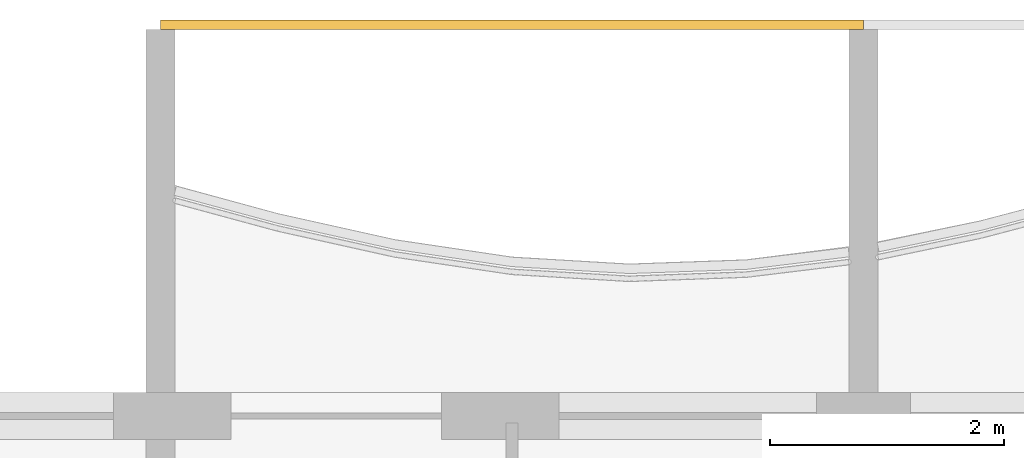
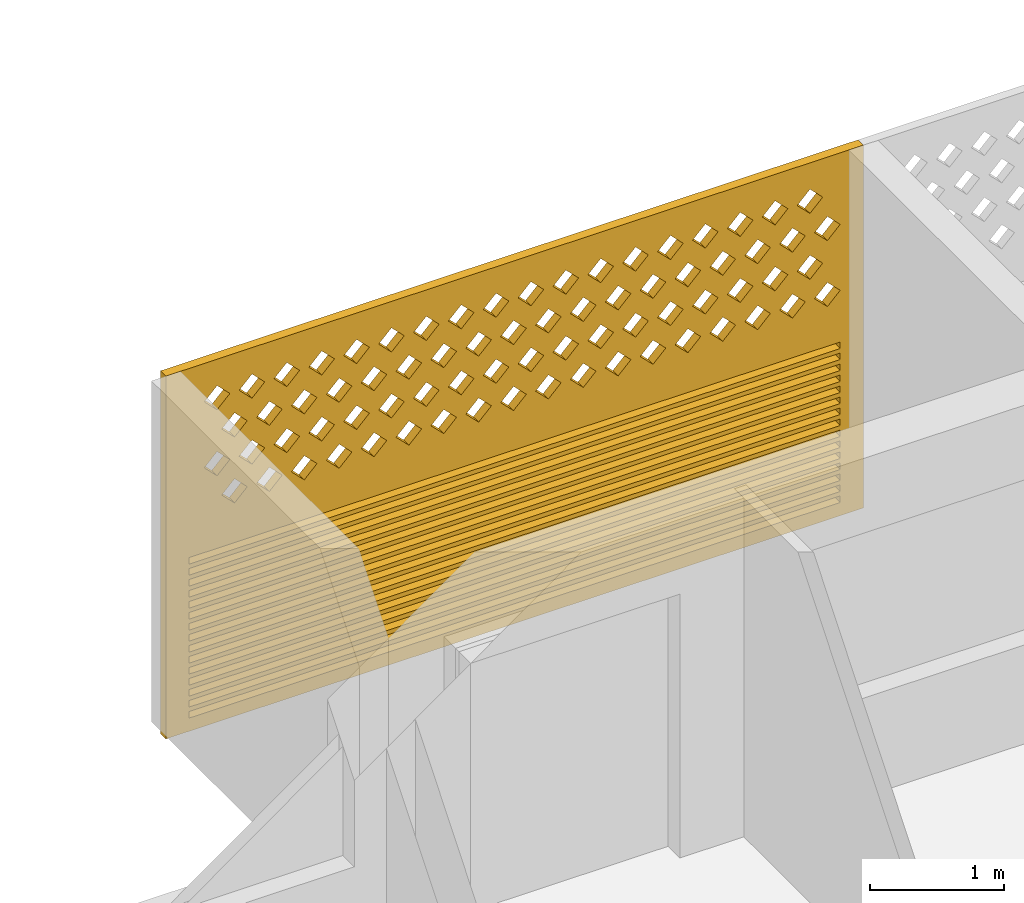
# One storey, part 16 of 26: 1 covering.
"""IFC4 building model written with IfcOpenShell, lengths in metres."""

import ifcopenshell
import ifcopenshell.guid

model = None  # the IFC model being written
_history = None  # IfcOwnerHistory: only IFC2X3 demands one
_inside = {}  # id of a spatial element -> (the spatial element, [elements in it])
_under = {}  # id of a project, library or spatial element -> (it, [spatial elements below it])
_declared = {}  # id of a project -> (the project, [libraries it declares])
_typed = {}  # id of a type object -> (the type object, [elements of that type])
_made_of = {}  # id of a material, layer set ... -> (it, [elements and type objects made of it])


def new_model(schema):
    """Start an empty IFC model of exactly this schema.

    Asked for "IFC4X3", IfcOpenShell would pick the latest addendum, in which some entities
    have other attributes; the version numbers below select the first issue.
    IFC2X3 requires an IfcOwnerHistory on every rooted entity: one is made here for all.
    """
    global model, _history
    if schema == "IFC4X3":
        model = ifcopenshell.file(schema_version=(4, 3, 0, 0))
    else:
        model = ifcopenshell.file(schema=schema)
    _inside.clear()
    _under.clear()
    _declared.clear()
    _typed.clear()
    _made_of.clear()
    _history = None
    if model.schema == "IFC2X3":
        org = make("IfcOrganization", Name="unknown")
        user = make(
            "IfcPersonAndOrganization",
            ThePerson=make("IfcPerson", FamilyName="unknown"),
            TheOrganization=org,
        )
        app = make(
            "IfcApplication",
            ApplicationDeveloper=org,
            Version="unknown",
            ApplicationFullName="unknown",
            ApplicationIdentifier="unknown",
        )
        _history = make(
            "IfcOwnerHistory",
            OwningUser=user,
            OwningApplication=app,
            ChangeAction="ADDED",
            CreationDate=0,
        )
    return model


def make(cls, **values):
    """One entity of the class cls with the attributes given. An attribute that is None is left unset."""
    return model.create_entity(
        cls, **{name: value for name, value in values.items() if value is not None}
    )


def rooted(cls, **values):
    """An entity with a GlobalId (a new one), such as an element, a storey or a relation."""
    return make(cls, GlobalId=ifcopenshell.guid.new(), OwnerHistory=_history, **values)


def si_unit(unit_type, name, prefix=None):
    """IfcSIUnit, for example si_unit("LENGTHUNIT", "METRE", prefix="MILLI")."""
    return make("IfcSIUnit", UnitType=unit_type, Prefix=prefix, Name=name)


def assignment(units):
    """IfcUnitAssignment: the units of a project."""
    return None if units is None else make("IfcUnitAssignment", Units=units)


def point(xyz):
    """IfcCartesianPoint."""
    return None if xyz is None else make("IfcCartesianPoint", Coordinates=xyz)


def direction(xyz):
    """IfcDirection."""
    return None if xyz is None else make("IfcDirection", DirectionRatios=xyz)


def frame(location, z_axis=None, x_axis=None):
    """IfcAxis2Placement3D, a coordinate frame: its origin and axes. An axis left out is left unset."""
    return make(
        "IfcAxis2Placement3D",
        Location=point(location),
        Axis=direction(z_axis),
        RefDirection=direction(x_axis),
    )


def origin():
    """The frame at (0, 0, 0) with its axes left unset."""
    return frame((0.0, 0.0, 0.0))


def place(relative_to, where):
    """IfcLocalPlacement: puts the frame where relative to a parent placement (None: the world)."""
    return make(
        "IfcLocalPlacement", PlacementRelTo=relative_to, RelativePlacement=where
    )


def context(
    kind, dimensions, precision=None, world=None, true_north=None, identifier=None
):
    """IfcGeometricRepresentationContext, for example the 3D "Model" context."""
    return make(
        "IfcGeometricRepresentationContext",
        ContextIdentifier=identifier,
        ContextType=kind,
        CoordinateSpaceDimension=dimensions,
        Precision=precision,
        WorldCoordinateSystem=world,
        TrueNorth=true_north,
    )


def subcontext(parent, identifier, kind, view, scale=None):
    """IfcGeometricRepresentationSubContext, for example "Body" below "Model"."""
    return make(
        "IfcGeometricRepresentationSubContext",
        ContextIdentifier=identifier,
        ContextType=kind,
        ParentContext=parent,
        TargetScale=scale,
        TargetView=view,
    )


def project(units=None, contexts=None):
    """IfcProject with its units and contexts."""
    return rooted(
        "IfcProject",
        Name="project",
        RepresentationContexts=contexts,
        UnitsInContext=assignment(units),
    )


def spatial(cls, under=None, at=None, **own):
    """A site, building, storey or space (cls), placed at a placement, below another one or the project."""
    s = rooted(cls, ObjectPlacement=at, **own)
    if under is not None:
        _under.setdefault(under.id(), (under, []))[1].append(s)
    return s


def polyline(points):
    """IfcPolyline through the points."""
    return make("IfcPolyline", Points=[point(p) for p in points])


def outline(outer, holes=None, kind="AREA"):
    """IfcArbitraryClosedProfileDef: a profile drawn as a closed curve; with holes, ...WithVoids."""
    if holes is None:
        return make("IfcArbitraryClosedProfileDef", ProfileType=kind, OuterCurve=outer)
    return make(
        "IfcArbitraryProfileDefWithVoids",
        ProfileType=kind,
        OuterCurve=outer,
        InnerCurves=holes,
    )


def extrude(swept, where, along, depth):
    """IfcExtrudedAreaSolid: the profile swept, set in the frame where, extruded along a direction by depth."""
    return make(
        "IfcExtrudedAreaSolid",
        SweptArea=swept,
        Position=where,
        ExtrudedDirection=direction(along),
        Depth=depth,
    )


def shape(context_of_items, identifier, shape_type, items):
    """IfcShapeRepresentation: the items that make up one representation, for example the "Body"."""
    return make(
        "IfcShapeRepresentation",
        ContextOfItems=context_of_items,
        RepresentationIdentifier=identifier,
        RepresentationType=shape_type,
        Items=items,
    )


def source(mapping_origin, context_of_items, identifier, shape_type, items):
    """IfcRepresentationMap: a shape defined once, which mapped items show again and again."""
    return make(
        "IfcRepresentationMap",
        MappingOrigin=mapping_origin,
        MappedRepresentation=shape(context_of_items, identifier, shape_type, items),
    )


def transform(
    local_origin,
    x_axis=None,
    y_axis=None,
    z_axis=None,
    scale=None,
    scale2=None,
    scale3=None,
    uniform=True,
):
    """IfcCartesianTransformationOperator3D, or its non-uniform kind. x_axis, y_axis, z_axis: its Axis1, 2, 3."""
    if uniform:
        return make(
            "IfcCartesianTransformationOperator3D",
            Axis1=direction(x_axis),
            Axis2=direction(y_axis),
            LocalOrigin=point(local_origin),
            Scale=scale,
            Axis3=direction(z_axis),
        )
    return make(
        "IfcCartesianTransformationOperator3DnonUniform",
        Axis1=direction(x_axis),
        Axis2=direction(y_axis),
        LocalOrigin=point(local_origin),
        Scale=scale,
        Axis3=direction(z_axis),
        Scale2=scale2,
        Scale3=scale3,
    )


def mapped(mapping_source, mapping_target):
    """IfcMappedItem: shows the shape of a source again, moved by a transform."""
    return make(
        "IfcMappedItem", MappingSource=mapping_source, MappingTarget=mapping_target
    )


def material(Name=None, Category=None):
    """IfcMaterial."""
    return make("IfcMaterial", Name=Name, Category=Category)


def material_profile(
    of_material, cross_section, Name=None, Category=None, Priority=None
):
    """IfcMaterialProfile: a cross section and its material."""
    return make(
        "IfcMaterialProfile",
        Name=Name,
        Material=of_material,
        Profile=cross_section,
        Priority=Priority,
        Category=Category,
    )


def profile_set(profiles, Name=None, composite=None):
    """IfcMaterialProfileSet."""
    return make(
        "IfcMaterialProfileSet",
        Name=Name,
        MaterialProfiles=profiles,
        CompositeProfile=composite,
    )


def made_of(thing, what):
    """Note that an element or type object is made of a material, layer set ...; save() writes the relation."""
    if what is not None:
        _made_of.setdefault(what.id(), (what, []))[1].append(thing)
    return thing


def type_object(cls, material=None, **own):
    """A type object (cls), such as IfcWallType, which elements share."""
    return made_of(rooted(cls, **own), material)


def element(
    cls,
    number,
    at=None,
    inside=None,
    cuts=None,
    type_object=None,
    material=None,
    context=None,
    identifier="Body",
    shape_type=None,
    held_by="IfcProductDefinitionShape",
    body=None,
    shapes=None,
    **own,
):
    """One element of the class cls, such as IfcWall. Its Tag is "e" and its number.

    at: its placement. inside: the storey or other place that contains it. cuts: it is an
    opening in that element (IfcRelVoidsElement). A single representation is given by context,
    identifier, shape_type and body (its items); several are given by shapes. held_by: the class
    of the entity that holds the representations. save() writes the other relations.
    """
    e = rooted(cls, Tag="e%d" % number, ObjectPlacement=at, **own)
    if body is not None:
        shapes = [shape(context, identifier, shape_type, body)]
    if shapes is not None:
        e.Representation = make(held_by, Representations=shapes)
    if inside is not None:
        _inside.setdefault(inside.id(), (inside, []))[1].append(e)
    if cuts is not None:
        rooted(
            "IfcRelVoidsElement", RelatingBuildingElement=cuts, RelatedOpeningElement=e
        )
    if type_object is not None:
        _typed.setdefault(type_object.id(), (type_object, []))[1].append(e)
    return made_of(e, material)


def aggregate(whole, parts):
    """IfcRelAggregates: a whole, such as a stair, and the parts it consists of."""
    return rooted("IfcRelAggregates", RelatingObject=whole, RelatedObjects=parts)


def save(model, path):
    """Write the relations noted so far, then the file.

    IfcRelAggregates (storeys below a building ...), IfcRelContainedInSpatialStructure (elements
    in a storey), IfcRelDefinesByType, IfcRelAssociatesMaterial and IfcRelDeclares: one each for
    every whole, place, type object, material and project.
    """
    for whole, parts in _under.values():
        aggregate(whole, parts)
    for where, things in _inside.values():
        rooted(
            "IfcRelContainedInSpatialStructure",
            RelatedElements=things,
            RelatingStructure=where,
        )
    for kind, things in _typed.values():
        rooted("IfcRelDefinesByType", RelatedObjects=things, RelatingType=kind)
    for what, things in _made_of.values():
        rooted("IfcRelAssociatesMaterial", RelatedObjects=things, RelatingMaterial=what)
    for by, libraries in _declared.values():
        rooted("IfcRelDeclares", RelatingContext=by, RelatedDefinitions=libraries)
    model.write(path)


model = new_model("IFC4")

# Units and contexts
model_context = context("Model", 3, precision=1e-05, world=origin(), true_north=direction((0.0, 1.0)))
body_context = subcontext(model_context, "Body", "Model", "MODEL_VIEW")
ifc_project = project(units=[si_unit("LENGTHUNIT", "METRE"), si_unit("AREAUNIT", "SQUARE_METRE"), si_unit("VOLUMEUNIT", "CUBIC_METRE"), si_unit("PLANEANGLEUNIT", "RADIAN"), si_unit("MASSUNIT", "GRAM", prefix="KILO")], contexts=[model_context])

# Site, building, storey
site_placement = place(None, origin())
site = spatial("IfcSite", under=ifc_project, at=site_placement, CompositionType="ELEMENT")
building_placement = place(site_placement, origin())
building = spatial("IfcBuilding", under=site, at=building_placement, Name="Poui Terraces", CompositionType="ELEMENT")
storey_placement = place(building_placement, frame((0.0, 0.0, 221.39990234375)))
storey = spatial("IfcBuildingStorey", under=building, at=storey_placement, Name="L61", CompositionType="ELEMENT", Elevation=221.39990234375)

# Covering
ifc_material = material(Name="Terracotta screen", Category="masonry")
ifc_material_profile = material_profile(ifc_material, outline(polyline([(-3.0, -1.64990234375), (3.0, -1.64990234375), (3.0, 1.64990234375), (-3.0, 1.64990234375), (-3.0, -1.64990234375)]), holes=[polyline([(-2.800048828125, 0.39990234375), (-2.68994140625, 0.2900390625), (-2.580078125, 0.39990234375), (-2.68994140625, 0.510009765625), (-2.800048828125, 0.39990234375)]), polyline([(-2.5, 0.39990234375), (-2.389892578125, 0.2900390625), (-2.280029296875, 0.39990234375), (-2.389892578125, 0.510009765625), (-2.5, 0.39990234375)]), polyline([(-2.199951171875, 0.39990234375), (-2.090087890625, 0.2900390625), (-1.97998046875, 0.39990234375), (-2.090087890625, 0.510009765625), (-2.199951171875, 0.39990234375)]), polyline([(-1.89990234375, 0.39990234375), (-1.7900390625, 0.2900390625), (-1.679931640625, 0.39990234375), (-1.7900390625, 0.510009765625), (-1.89990234375, 0.39990234375)]), polyline([(-1.60009765625, 0.39990234375), (-1.489990234375, 0.2900390625), (-1.3798828125, 0.39990234375), (-1.489990234375, 0.510009765625), (-1.60009765625, 0.39990234375)]), polyline([(-1.300048828125, 0.39990234375), (-1.18994140625, 0.2900390625), (-1.080078125, 0.39990234375), (-1.18994140625, 0.510009765625), (-1.300048828125, 0.39990234375)]), polyline([(-1.0, 0.39990234375), (-0.889892578125, 0.2900390625), (-0.780029296875, 0.39990234375), (-0.889892578125, 0.510009765625), (-1.0, 0.39990234375)]), polyline([(-0.699951171875, 0.39990234375), (-0.590087890625, 0.2900390625), (-0.47998046875, 0.39990234375), (-0.590087890625, 0.510009765625), (-0.699951171875, 0.39990234375)]), polyline([(-0.39990234375, 0.39990234375), (-0.2900390625, 0.2900390625), (-0.179931640625, 0.39990234375), (-0.2900390625, 0.510009765625), (-0.39990234375, 0.39990234375)]), polyline([(-0.10009765625, 0.39990234375), (0.010009765625, 0.2900390625), (0.1201171875, 0.39990234375), (0.010009765625, 0.510009765625), (-0.10009765625, 0.39990234375)]), polyline([(0.199951171875, 0.39990234375), (0.31005859375, 0.2900390625), (0.419921875, 0.39990234375), (0.31005859375, 0.510009765625), (0.199951171875, 0.39990234375)]), polyline([(0.5, 0.39990234375), (0.610107421875, 0.2900390625), (0.719970703125, 0.39990234375), (0.610107421875, 0.510009765625), (0.5, 0.39990234375)]), polyline([(0.800048828125, 0.39990234375), (0.909912109375, 0.2900390625), (1.02001953125, 0.39990234375), (0.909912109375, 0.510009765625), (0.800048828125, 0.39990234375)]), polyline([(1.10009765625, 0.39990234375), (1.2099609375, 0.2900390625), (1.320068359375, 0.39990234375), (1.2099609375, 0.510009765625), (1.10009765625, 0.39990234375)]), polyline([(1.39990234375, 0.39990234375), (1.510009765625, 0.2900390625), (1.6201171875, 0.39990234375), (1.510009765625, 0.510009765625), (1.39990234375, 0.39990234375)]), polyline([(1.699951171875, 0.39990234375), (1.81005859375, 0.2900390625), (1.919921875, 0.39990234375), (1.81005859375, 0.510009765625), (1.699951171875, 0.39990234375)]), polyline([(2.0, 0.39990234375), (2.110107421875, 0.2900390625), (2.219970703125, 0.39990234375), (2.110107421875, 0.510009765625), (2.0, 0.39990234375)]), polyline([(2.300048828125, 0.39990234375), (2.409912109375, 0.2900390625), (2.52001953125, 0.39990234375), (2.409912109375, 0.510009765625), (2.300048828125, 0.39990234375)]), polyline([(-2.64990234375, 0.699951171875), (-2.5400390625, 0.590087890625), (-2.429931640625, 0.699951171875), (-2.5400390625, 0.81005859375), (-2.64990234375, 0.699951171875)]), polyline([(-2.35009765625, 0.699951171875), (-2.239990234375, 0.590087890625), (-2.1298828125, 0.699951171875), (-2.239990234375, 0.81005859375), (-2.35009765625, 0.699951171875)]), polyline([(-2.050048828125, 0.699951171875), (-1.93994140625, 0.590087890625), (-1.830078125, 0.699951171875), (-1.93994140625, 0.81005859375), (-2.050048828125, 0.699951171875)]), polyline([(-1.75, 0.699951171875), (-1.639892578125, 0.590087890625), (-1.530029296875, 0.699951171875), (-1.639892578125, 0.81005859375), (-1.75, 0.699951171875)]), polyline([(-1.449951171875, 0.699951171875), (-1.340087890625, 0.590087890625), (-1.22998046875, 0.699951171875), (-1.340087890625, 0.81005859375), (-1.449951171875, 0.699951171875)]), polyline([(-1.14990234375, 0.699951171875), (-1.0400390625, 0.590087890625), (-0.929931640625, 0.699951171875), (-1.0400390625, 0.81005859375), (-1.14990234375, 0.699951171875)]), polyline([(-0.85009765625, 0.699951171875), (-0.739990234375, 0.590087890625), (-0.6298828125, 0.699951171875), (-0.739990234375, 0.81005859375), (-0.85009765625, 0.699951171875)]), polyline([(-0.550048828125, 0.699951171875), (-0.43994140625, 0.590087890625), (-0.330078125, 0.699951171875), (-0.43994140625, 0.81005859375), (-0.550048828125, 0.699951171875)]), polyline([(-0.25, 0.699951171875), (-0.139892578125, 0.590087890625), (-0.030029296875, 0.699951171875), (-0.139892578125, 0.81005859375), (-0.25, 0.699951171875)]), polyline([(0.050048828125, 0.699951171875), (0.159912109375, 0.590087890625), (0.27001953125, 0.699951171875), (0.159912109375, 0.81005859375), (0.050048828125, 0.699951171875)]), polyline([(0.35009765625, 0.699951171875), (0.4599609375, 0.590087890625), (0.570068359375, 0.699951171875), (0.4599609375, 0.81005859375), (0.35009765625, 0.699951171875)]), polyline([(0.64990234375, 0.699951171875), (0.760009765625, 0.590087890625), (0.8701171875, 0.699951171875), (0.760009765625, 0.81005859375), (0.64990234375, 0.699951171875)]), polyline([(0.949951171875, 0.699951171875), (1.06005859375, 0.590087890625), (1.169921875, 0.699951171875), (1.06005859375, 0.81005859375), (0.949951171875, 0.699951171875)]), polyline([(1.25, 0.699951171875), (1.360107421875, 0.590087890625), (1.469970703125, 0.699951171875), (1.360107421875, 0.81005859375), (1.25, 0.699951171875)]), polyline([(1.550048828125, 0.699951171875), (1.659912109375, 0.590087890625), (1.77001953125, 0.699951171875), (1.659912109375, 0.81005859375), (1.550048828125, 0.699951171875)]), polyline([(1.85009765625, 0.699951171875), (1.9599609375, 0.590087890625), (2.070068359375, 0.699951171875), (1.9599609375, 0.81005859375), (1.85009765625, 0.699951171875)]), polyline([(2.14990234375, 0.699951171875), (2.260009765625, 0.590087890625), (2.3701171875, 0.699951171875), (2.260009765625, 0.81005859375), (2.14990234375, 0.699951171875)]), polyline([(2.449951171875, 0.699951171875), (2.56005859375, 0.590087890625), (2.669921875, 0.699951171875), (2.56005859375, 0.81005859375), (2.449951171875, 0.699951171875)]), polyline([(-2.800048828125, 1.0), (-2.68994140625, 0.889892578125), (-2.580078125, 1.0), (-2.68994140625, 1.110107421875), (-2.800048828125, 1.0)]), polyline([(-2.5, 1.0), (-2.389892578125, 0.889892578125), (-2.280029296875, 1.0), (-2.389892578125, 1.110107421875), (-2.5, 1.0)]), polyline([(-2.199951171875, 1.0), (-2.090087890625, 0.889892578125), (-1.97998046875, 1.0), (-2.090087890625, 1.110107421875), (-2.199951171875, 1.0)]), polyline([(-1.89990234375, 1.0), (-1.7900390625, 0.889892578125), (-1.679931640625, 1.0), (-1.7900390625, 1.110107421875), (-1.89990234375, 1.0)]), polyline([(-1.60009765625, 1.0), (-1.489990234375, 0.889892578125), (-1.3798828125, 1.0), (-1.489990234375, 1.110107421875), (-1.60009765625, 1.0)]), polyline([(-1.300048828125, 1.0), (-1.18994140625, 0.889892578125), (-1.080078125, 1.0), (-1.18994140625, 1.110107421875), (-1.300048828125, 1.0)]), polyline([(-1.0, 1.0), (-0.889892578125, 0.889892578125), (-0.780029296875, 1.0), (-0.889892578125, 1.110107421875), (-1.0, 1.0)]), polyline([(-0.699951171875, 1.0), (-0.590087890625, 0.889892578125), (-0.47998046875, 1.0), (-0.590087890625, 1.110107421875), (-0.699951171875, 1.0)]), polyline([(-0.39990234375, 1.0), (-0.2900390625, 0.889892578125), (-0.179931640625, 1.0), (-0.2900390625, 1.110107421875), (-0.39990234375, 1.0)]), polyline([(-0.10009765625, 1.0), (0.010009765625, 0.889892578125), (0.1201171875, 1.0), (0.010009765625, 1.110107421875), (-0.10009765625, 1.0)]), polyline([(0.199951171875, 1.0), (0.31005859375, 0.889892578125), (0.419921875, 1.0), (0.31005859375, 1.110107421875), (0.199951171875, 1.0)]), polyline([(0.5, 1.0), (0.610107421875, 0.889892578125), (0.719970703125, 1.0), (0.610107421875, 1.110107421875), (0.5, 1.0)]), polyline([(0.800048828125, 1.0), (0.909912109375, 0.889892578125), (1.02001953125, 1.0), (0.909912109375, 1.110107421875), (0.800048828125, 1.0)]), polyline([(1.10009765625, 1.0), (1.2099609375, 0.889892578125), (1.320068359375, 1.0), (1.2099609375, 1.110107421875), (1.10009765625, 1.0)]), polyline([(1.39990234375, 1.0), (1.510009765625, 0.889892578125), (1.6201171875, 1.0), (1.510009765625, 1.110107421875), (1.39990234375, 1.0)]), polyline([(1.699951171875, 1.0), (1.81005859375, 0.889892578125), (1.919921875, 1.0), (1.81005859375, 1.110107421875), (1.699951171875, 1.0)]), polyline([(2.0, 1.0), (2.110107421875, 0.889892578125), (2.219970703125, 1.0), (2.110107421875, 1.110107421875), (2.0, 1.0)]), polyline([(2.300048828125, 1.0), (2.409912109375, 0.889892578125), (2.52001953125, 1.0), (2.409912109375, 1.110107421875), (2.300048828125, 1.0)]), polyline([(-2.64990234375, 1.300048828125), (-2.5400390625, 1.18994140625), (-2.429931640625, 1.300048828125), (-2.5400390625, 1.409912109375), (-2.64990234375, 1.300048828125)]), polyline([(-2.35009765625, 1.300048828125), (-2.239990234375, 1.18994140625), (-2.1298828125, 1.300048828125), (-2.239990234375, 1.409912109375), (-2.35009765625, 1.300048828125)]), polyline([(-2.050048828125, 1.300048828125), (-1.93994140625, 1.18994140625), (-1.830078125, 1.300048828125), (-1.93994140625, 1.409912109375), (-2.050048828125, 1.300048828125)]), polyline([(-1.75, 1.300048828125), (-1.639892578125, 1.18994140625), (-1.530029296875, 1.300048828125), (-1.639892578125, 1.409912109375), (-1.75, 1.300048828125)]), polyline([(-1.449951171875, 1.300048828125), (-1.340087890625, 1.18994140625), (-1.22998046875, 1.300048828125), (-1.340087890625, 1.409912109375), (-1.449951171875, 1.300048828125)]), polyline([(-1.14990234375, 1.300048828125), (-1.0400390625, 1.18994140625), (-0.929931640625, 1.300048828125), (-1.0400390625, 1.409912109375), (-1.14990234375, 1.300048828125)]), polyline([(-0.85009765625, 1.300048828125), (-0.739990234375, 1.18994140625), (-0.6298828125, 1.300048828125), (-0.739990234375, 1.409912109375), (-0.85009765625, 1.300048828125)]), polyline([(-0.550048828125, 1.300048828125), (-0.43994140625, 1.18994140625), (-0.330078125, 1.300048828125), (-0.43994140625, 1.409912109375), (-0.550048828125, 1.300048828125)]), polyline([(-0.25, 1.300048828125), (-0.139892578125, 1.18994140625), (-0.030029296875, 1.300048828125), (-0.139892578125, 1.409912109375), (-0.25, 1.300048828125)]), polyline([(0.050048828125, 1.300048828125), (0.159912109375, 1.18994140625), (0.27001953125, 1.300048828125), (0.159912109375, 1.409912109375), (0.050048828125, 1.300048828125)]), polyline([(0.35009765625, 1.300048828125), (0.4599609375, 1.18994140625), (0.570068359375, 1.300048828125), (0.4599609375, 1.409912109375), (0.35009765625, 1.300048828125)]), polyline([(0.64990234375, 1.300048828125), (0.760009765625, 1.18994140625), (0.8701171875, 1.300048828125), (0.760009765625, 1.409912109375), (0.64990234375, 1.300048828125)]), polyline([(0.949951171875, 1.300048828125), (1.06005859375, 1.18994140625), (1.169921875, 1.300048828125), (1.06005859375, 1.409912109375), (0.949951171875, 1.300048828125)]), polyline([(1.25, 1.300048828125), (1.360107421875, 1.18994140625), (1.469970703125, 1.300048828125), (1.360107421875, 1.409912109375), (1.25, 1.300048828125)]), polyline([(1.550048828125, 1.300048828125), (1.659912109375, 1.18994140625), (1.77001953125, 1.300048828125), (1.659912109375, 1.409912109375), (1.550048828125, 1.300048828125)]), polyline([(1.85009765625, 1.300048828125), (1.9599609375, 1.18994140625), (2.070068359375, 1.300048828125), (1.9599609375, 1.409912109375), (1.85009765625, 1.300048828125)]), polyline([(2.14990234375, 1.300048828125), (2.260009765625, 1.18994140625), (2.3701171875, 1.300048828125), (2.260009765625, 1.409912109375), (2.14990234375, 1.300048828125)]), polyline([(2.449951171875, 1.300048828125), (2.56005859375, 1.18994140625), (2.669921875, 1.300048828125), (2.56005859375, 1.409912109375), (2.449951171875, 1.300048828125)]), polyline([(-2.800048828125, -1.530029296875), (2.800048828125, -1.530029296875), (2.800048828125, -1.469970703125), (-2.800048828125, -1.469970703125), (-2.800048828125, -1.530029296875)]), polyline([(-2.800048828125, -1.429931640625), (2.800048828125, -1.429931640625), (2.800048828125, -1.3701171875), (-2.800048828125, -1.3701171875), (-2.800048828125, -1.429931640625)]), polyline([(-2.800048828125, -1.330078125), (2.800048828125, -1.330078125), (2.800048828125, -1.27001953125), (-2.800048828125, -1.27001953125), (-2.800048828125, -1.330078125)]), polyline([(-2.800048828125, -1.22998046875), (2.800048828125, -1.22998046875), (2.800048828125, -1.169921875), (-2.800048828125, -1.169921875), (-2.800048828125, -1.22998046875)]), polyline([(-2.800048828125, -1.1298828125), (2.800048828125, -1.1298828125), (2.800048828125, -1.070068359375), (-2.800048828125, -1.070068359375), (-2.800048828125, -1.1298828125)]), polyline([(-2.800048828125, -1.030029296875), (2.800048828125, -1.030029296875), (2.800048828125, -0.969970703125), (-2.800048828125, -0.969970703125), (-2.800048828125, -1.030029296875)]), polyline([(-2.800048828125, -0.929931640625), (2.800048828125, -0.929931640625), (2.800048828125, -0.8701171875), (-2.800048828125, -0.8701171875), (-2.800048828125, -0.929931640625)]), polyline([(-2.800048828125, -0.830078125), (2.800048828125, -0.830078125), (2.800048828125, -0.77001953125), (-2.800048828125, -0.77001953125), (-2.800048828125, -0.830078125)]), polyline([(-2.800048828125, -0.72998046875), (2.800048828125, -0.72998046875), (2.800048828125, -0.669921875), (-2.800048828125, -0.669921875), (-2.800048828125, -0.72998046875)]), polyline([(-2.800048828125, -0.6298828125), (2.800048828125, -0.6298828125), (2.800048828125, -0.570068359375), (-2.800048828125, -0.570068359375), (-2.800048828125, -0.6298828125)]), polyline([(-2.800048828125, -0.530029296875), (2.800048828125, -0.530029296875), (2.800048828125, -0.469970703125), (-2.800048828125, -0.469970703125), (-2.800048828125, -0.530029296875)]), polyline([(-2.800048828125, -0.429931640625), (2.800048828125, -0.429931640625), (2.800048828125, -0.3701171875), (-2.800048828125, -0.3701171875), (-2.800048828125, -0.429931640625)]), polyline([(-2.800048828125, -0.330078125), (2.800048828125, -0.330078125), (2.800048828125, -0.27001953125), (-2.800048828125, -0.27001953125), (-2.800048828125, -0.330078125)]), polyline([(-2.800048828125, -0.22998046875), (2.800048828125, -0.22998046875), (2.800048828125, -0.169921875), (-2.800048828125, -0.169921875), (-2.800048828125, -0.22998046875)]), polyline([(-2.800048828125, -0.1298828125), (2.800048828125, -0.1298828125), (2.800048828125, -0.070068359375), (-2.800048828125, -0.070068359375), (-2.800048828125, -0.1298828125)])]), Name="TERRACOTTA SCREEN AND JALOUSIE LOUVRE 6000X3300")
ifc_profile_set = profile_set([ifc_material_profile], Name="Terracotta screen")
covering_type = type_object("IfcCoveringType", Name="TERRACOTTA SCREEN AND JALOUSIE LOUVRE 6000X3300", PredefinedType="CLADDING", material=ifc_profile_set)
shared_shape = source(origin(), body_context, "Body", "SweptSolid", [
    extrude(outline(polyline([(-3.0, -1.64990234375), (3.0, -1.64990234375), (3.0, 1.64990234375), (-3.0, 1.64990234375), (-3.0, -1.64990234375)]), holes=[polyline([(-2.800048828125, 0.39990234375), (-2.68994140625, 0.2900390625), (-2.580078125, 0.39990234375), (-2.68994140625, 0.510009765625), (-2.800048828125, 0.39990234375)]), polyline([(-2.5, 0.39990234375), (-2.389892578125, 0.2900390625), (-2.280029296875, 0.39990234375), (-2.389892578125, 0.510009765625), (-2.5, 0.39990234375)]), polyline([(-2.199951171875, 0.39990234375), (-2.090087890625, 0.2900390625), (-1.97998046875, 0.39990234375), (-2.090087890625, 0.510009765625), (-2.199951171875, 0.39990234375)]), polyline([(-1.89990234375, 0.39990234375), (-1.7900390625, 0.2900390625), (-1.679931640625, 0.39990234375), (-1.7900390625, 0.510009765625), (-1.89990234375, 0.39990234375)]), polyline([(-1.60009765625, 0.39990234375), (-1.489990234375, 0.2900390625), (-1.3798828125, 0.39990234375), (-1.489990234375, 0.510009765625), (-1.60009765625, 0.39990234375)]), polyline([(-1.300048828125, 0.39990234375), (-1.18994140625, 0.2900390625), (-1.080078125, 0.39990234375), (-1.18994140625, 0.510009765625), (-1.300048828125, 0.39990234375)]), polyline([(-1.0, 0.39990234375), (-0.889892578125, 0.2900390625), (-0.780029296875, 0.39990234375), (-0.889892578125, 0.510009765625), (-1.0, 0.39990234375)]), polyline([(-0.699951171875, 0.39990234375), (-0.590087890625, 0.2900390625), (-0.47998046875, 0.39990234375), (-0.590087890625, 0.510009765625), (-0.699951171875, 0.39990234375)]), polyline([(-0.39990234375, 0.39990234375), (-0.2900390625, 0.2900390625), (-0.179931640625, 0.39990234375), (-0.2900390625, 0.510009765625), (-0.39990234375, 0.39990234375)]), polyline([(-0.10009765625, 0.39990234375), (0.010009765625, 0.2900390625), (0.1201171875, 0.39990234375), (0.010009765625, 0.510009765625), (-0.10009765625, 0.39990234375)]), polyline([(0.199951171875, 0.39990234375), (0.31005859375, 0.2900390625), (0.419921875, 0.39990234375), (0.31005859375, 0.510009765625), (0.199951171875, 0.39990234375)]), polyline([(0.5, 0.39990234375), (0.610107421875, 0.2900390625), (0.719970703125, 0.39990234375), (0.610107421875, 0.510009765625), (0.5, 0.39990234375)]), polyline([(0.800048828125, 0.39990234375), (0.909912109375, 0.2900390625), (1.02001953125, 0.39990234375), (0.909912109375, 0.510009765625), (0.800048828125, 0.39990234375)]), polyline([(1.10009765625, 0.39990234375), (1.2099609375, 0.2900390625), (1.320068359375, 0.39990234375), (1.2099609375, 0.510009765625), (1.10009765625, 0.39990234375)]), polyline([(1.39990234375, 0.39990234375), (1.510009765625, 0.2900390625), (1.6201171875, 0.39990234375), (1.510009765625, 0.510009765625), (1.39990234375, 0.39990234375)]), polyline([(1.699951171875, 0.39990234375), (1.81005859375, 0.2900390625), (1.919921875, 0.39990234375), (1.81005859375, 0.510009765625), (1.699951171875, 0.39990234375)]), polyline([(2.0, 0.39990234375), (2.110107421875, 0.2900390625), (2.219970703125, 0.39990234375), (2.110107421875, 0.510009765625), (2.0, 0.39990234375)]), polyline([(2.300048828125, 0.39990234375), (2.409912109375, 0.2900390625), (2.52001953125, 0.39990234375), (2.409912109375, 0.510009765625), (2.300048828125, 0.39990234375)]), polyline([(-2.64990234375, 0.699951171875), (-2.5400390625, 0.590087890625), (-2.429931640625, 0.699951171875), (-2.5400390625, 0.81005859375), (-2.64990234375, 0.699951171875)]), polyline([(-2.35009765625, 0.699951171875), (-2.239990234375, 0.590087890625), (-2.1298828125, 0.699951171875), (-2.239990234375, 0.81005859375), (-2.35009765625, 0.699951171875)]), polyline([(-2.050048828125, 0.699951171875), (-1.93994140625, 0.590087890625), (-1.830078125, 0.699951171875), (-1.93994140625, 0.81005859375), (-2.050048828125, 0.699951171875)]), polyline([(-1.75, 0.699951171875), (-1.639892578125, 0.590087890625), (-1.530029296875, 0.699951171875), (-1.639892578125, 0.81005859375), (-1.75, 0.699951171875)]), polyline([(-1.449951171875, 0.699951171875), (-1.340087890625, 0.590087890625), (-1.22998046875, 0.699951171875), (-1.340087890625, 0.81005859375), (-1.449951171875, 0.699951171875)]), polyline([(-1.14990234375, 0.699951171875), (-1.0400390625, 0.590087890625), (-0.929931640625, 0.699951171875), (-1.0400390625, 0.81005859375), (-1.14990234375, 0.699951171875)]), polyline([(-0.85009765625, 0.699951171875), (-0.739990234375, 0.590087890625), (-0.6298828125, 0.699951171875), (-0.739990234375, 0.81005859375), (-0.85009765625, 0.699951171875)]), polyline([(-0.550048828125, 0.699951171875), (-0.43994140625, 0.590087890625), (-0.330078125, 0.699951171875), (-0.43994140625, 0.81005859375), (-0.550048828125, 0.699951171875)]), polyline([(-0.25, 0.699951171875), (-0.139892578125, 0.590087890625), (-0.030029296875, 0.699951171875), (-0.139892578125, 0.81005859375), (-0.25, 0.699951171875)]), polyline([(0.050048828125, 0.699951171875), (0.159912109375, 0.590087890625), (0.27001953125, 0.699951171875), (0.159912109375, 0.81005859375), (0.050048828125, 0.699951171875)]), polyline([(0.35009765625, 0.699951171875), (0.4599609375, 0.590087890625), (0.570068359375, 0.699951171875), (0.4599609375, 0.81005859375), (0.35009765625, 0.699951171875)]), polyline([(0.64990234375, 0.699951171875), (0.760009765625, 0.590087890625), (0.8701171875, 0.699951171875), (0.760009765625, 0.81005859375), (0.64990234375, 0.699951171875)]), polyline([(0.949951171875, 0.699951171875), (1.06005859375, 0.590087890625), (1.169921875, 0.699951171875), (1.06005859375, 0.81005859375), (0.949951171875, 0.699951171875)]), polyline([(1.25, 0.699951171875), (1.360107421875, 0.590087890625), (1.469970703125, 0.699951171875), (1.360107421875, 0.81005859375), (1.25, 0.699951171875)]), polyline([(1.550048828125, 0.699951171875), (1.659912109375, 0.590087890625), (1.77001953125, 0.699951171875), (1.659912109375, 0.81005859375), (1.550048828125, 0.699951171875)]), polyline([(1.85009765625, 0.699951171875), (1.9599609375, 0.590087890625), (2.070068359375, 0.699951171875), (1.9599609375, 0.81005859375), (1.85009765625, 0.699951171875)]), polyline([(2.14990234375, 0.699951171875), (2.260009765625, 0.590087890625), (2.3701171875, 0.699951171875), (2.260009765625, 0.81005859375), (2.14990234375, 0.699951171875)]), polyline([(2.449951171875, 0.699951171875), (2.56005859375, 0.590087890625), (2.669921875, 0.699951171875), (2.56005859375, 0.81005859375), (2.449951171875, 0.699951171875)]), polyline([(-2.800048828125, 1.0), (-2.68994140625, 0.889892578125), (-2.580078125, 1.0), (-2.68994140625, 1.110107421875), (-2.800048828125, 1.0)]), polyline([(-2.5, 1.0), (-2.389892578125, 0.889892578125), (-2.280029296875, 1.0), (-2.389892578125, 1.110107421875), (-2.5, 1.0)]), polyline([(-2.199951171875, 1.0), (-2.090087890625, 0.889892578125), (-1.97998046875, 1.0), (-2.090087890625, 1.110107421875), (-2.199951171875, 1.0)]), polyline([(-1.89990234375, 1.0), (-1.7900390625, 0.889892578125), (-1.679931640625, 1.0), (-1.7900390625, 1.110107421875), (-1.89990234375, 1.0)]), polyline([(-1.60009765625, 1.0), (-1.489990234375, 0.889892578125), (-1.3798828125, 1.0), (-1.489990234375, 1.110107421875), (-1.60009765625, 1.0)]), polyline([(-1.300048828125, 1.0), (-1.18994140625, 0.889892578125), (-1.080078125, 1.0), (-1.18994140625, 1.110107421875), (-1.300048828125, 1.0)]), polyline([(-1.0, 1.0), (-0.889892578125, 0.889892578125), (-0.780029296875, 1.0), (-0.889892578125, 1.110107421875), (-1.0, 1.0)]), polyline([(-0.699951171875, 1.0), (-0.590087890625, 0.889892578125), (-0.47998046875, 1.0), (-0.590087890625, 1.110107421875), (-0.699951171875, 1.0)]), polyline([(-0.39990234375, 1.0), (-0.2900390625, 0.889892578125), (-0.179931640625, 1.0), (-0.2900390625, 1.110107421875), (-0.39990234375, 1.0)]), polyline([(-0.10009765625, 1.0), (0.010009765625, 0.889892578125), (0.1201171875, 1.0), (0.010009765625, 1.110107421875), (-0.10009765625, 1.0)]), polyline([(0.199951171875, 1.0), (0.31005859375, 0.889892578125), (0.419921875, 1.0), (0.31005859375, 1.110107421875), (0.199951171875, 1.0)]), polyline([(0.5, 1.0), (0.610107421875, 0.889892578125), (0.719970703125, 1.0), (0.610107421875, 1.110107421875), (0.5, 1.0)]), polyline([(0.800048828125, 1.0), (0.909912109375, 0.889892578125), (1.02001953125, 1.0), (0.909912109375, 1.110107421875), (0.800048828125, 1.0)]), polyline([(1.10009765625, 1.0), (1.2099609375, 0.889892578125), (1.320068359375, 1.0), (1.2099609375, 1.110107421875), (1.10009765625, 1.0)]), polyline([(1.39990234375, 1.0), (1.510009765625, 0.889892578125), (1.6201171875, 1.0), (1.510009765625, 1.110107421875), (1.39990234375, 1.0)]), polyline([(1.699951171875, 1.0), (1.81005859375, 0.889892578125), (1.919921875, 1.0), (1.81005859375, 1.110107421875), (1.699951171875, 1.0)]), polyline([(2.0, 1.0), (2.110107421875, 0.889892578125), (2.219970703125, 1.0), (2.110107421875, 1.110107421875), (2.0, 1.0)]), polyline([(2.300048828125, 1.0), (2.409912109375, 0.889892578125), (2.52001953125, 1.0), (2.409912109375, 1.110107421875), (2.300048828125, 1.0)]), polyline([(-2.64990234375, 1.300048828125), (-2.5400390625, 1.18994140625), (-2.429931640625, 1.300048828125), (-2.5400390625, 1.409912109375), (-2.64990234375, 1.300048828125)]), polyline([(-2.35009765625, 1.300048828125), (-2.239990234375, 1.18994140625), (-2.1298828125, 1.300048828125), (-2.239990234375, 1.409912109375), (-2.35009765625, 1.300048828125)]), polyline([(-2.050048828125, 1.300048828125), (-1.93994140625, 1.18994140625), (-1.830078125, 1.300048828125), (-1.93994140625, 1.409912109375), (-2.050048828125, 1.300048828125)]), polyline([(-1.75, 1.300048828125), (-1.639892578125, 1.18994140625), (-1.530029296875, 1.300048828125), (-1.639892578125, 1.409912109375), (-1.75, 1.300048828125)]), polyline([(-1.449951171875, 1.300048828125), (-1.340087890625, 1.18994140625), (-1.22998046875, 1.300048828125), (-1.340087890625, 1.409912109375), (-1.449951171875, 1.300048828125)]), polyline([(-1.14990234375, 1.300048828125), (-1.0400390625, 1.18994140625), (-0.929931640625, 1.300048828125), (-1.0400390625, 1.409912109375), (-1.14990234375, 1.300048828125)]), polyline([(-0.85009765625, 1.300048828125), (-0.739990234375, 1.18994140625), (-0.6298828125, 1.300048828125), (-0.739990234375, 1.409912109375), (-0.85009765625, 1.300048828125)]), polyline([(-0.550048828125, 1.300048828125), (-0.43994140625, 1.18994140625), (-0.330078125, 1.300048828125), (-0.43994140625, 1.409912109375), (-0.550048828125, 1.300048828125)]), polyline([(-0.25, 1.300048828125), (-0.139892578125, 1.18994140625), (-0.030029296875, 1.300048828125), (-0.139892578125, 1.409912109375), (-0.25, 1.300048828125)]), polyline([(0.050048828125, 1.300048828125), (0.159912109375, 1.18994140625), (0.27001953125, 1.300048828125), (0.159912109375, 1.409912109375), (0.050048828125, 1.300048828125)]), polyline([(0.35009765625, 1.300048828125), (0.4599609375, 1.18994140625), (0.570068359375, 1.300048828125), (0.4599609375, 1.409912109375), (0.35009765625, 1.300048828125)]), polyline([(0.64990234375, 1.300048828125), (0.760009765625, 1.18994140625), (0.8701171875, 1.300048828125), (0.760009765625, 1.409912109375), (0.64990234375, 1.300048828125)]), polyline([(0.949951171875, 1.300048828125), (1.06005859375, 1.18994140625), (1.169921875, 1.300048828125), (1.06005859375, 1.409912109375), (0.949951171875, 1.300048828125)]), polyline([(1.25, 1.300048828125), (1.360107421875, 1.18994140625), (1.469970703125, 1.300048828125), (1.360107421875, 1.409912109375), (1.25, 1.300048828125)]), polyline([(1.550048828125, 1.300048828125), (1.659912109375, 1.18994140625), (1.77001953125, 1.300048828125), (1.659912109375, 1.409912109375), (1.550048828125, 1.300048828125)]), polyline([(1.85009765625, 1.300048828125), (1.9599609375, 1.18994140625), (2.070068359375, 1.300048828125), (1.9599609375, 1.409912109375), (1.85009765625, 1.300048828125)]), polyline([(2.14990234375, 1.300048828125), (2.260009765625, 1.18994140625), (2.3701171875, 1.300048828125), (2.260009765625, 1.409912109375), (2.14990234375, 1.300048828125)]), polyline([(2.449951171875, 1.300048828125), (2.56005859375, 1.18994140625), (2.669921875, 1.300048828125), (2.56005859375, 1.409912109375), (2.449951171875, 1.300048828125)]), polyline([(-2.800048828125, -1.530029296875), (2.800048828125, -1.530029296875), (2.800048828125, -1.469970703125), (-2.800048828125, -1.469970703125), (-2.800048828125, -1.530029296875)]), polyline([(-2.800048828125, -1.429931640625), (2.800048828125, -1.429931640625), (2.800048828125, -1.3701171875), (-2.800048828125, -1.3701171875), (-2.800048828125, -1.429931640625)]), polyline([(-2.800048828125, -1.330078125), (2.800048828125, -1.330078125), (2.800048828125, -1.27001953125), (-2.800048828125, -1.27001953125), (-2.800048828125, -1.330078125)]), polyline([(-2.800048828125, -1.22998046875), (2.800048828125, -1.22998046875), (2.800048828125, -1.169921875), (-2.800048828125, -1.169921875), (-2.800048828125, -1.22998046875)]), polyline([(-2.800048828125, -1.1298828125), (2.800048828125, -1.1298828125), (2.800048828125, -1.070068359375), (-2.800048828125, -1.070068359375), (-2.800048828125, -1.1298828125)]), polyline([(-2.800048828125, -1.030029296875), (2.800048828125, -1.030029296875), (2.800048828125, -0.969970703125), (-2.800048828125, -0.969970703125), (-2.800048828125, -1.030029296875)]), polyline([(-2.800048828125, -0.929931640625), (2.800048828125, -0.929931640625), (2.800048828125, -0.8701171875), (-2.800048828125, -0.8701171875), (-2.800048828125, -0.929931640625)]), polyline([(-2.800048828125, -0.830078125), (2.800048828125, -0.830078125), (2.800048828125, -0.77001953125), (-2.800048828125, -0.77001953125), (-2.800048828125, -0.830078125)]), polyline([(-2.800048828125, -0.72998046875), (2.800048828125, -0.72998046875), (2.800048828125, -0.669921875), (-2.800048828125, -0.669921875), (-2.800048828125, -0.72998046875)]), polyline([(-2.800048828125, -0.6298828125), (2.800048828125, -0.6298828125), (2.800048828125, -0.570068359375), (-2.800048828125, -0.570068359375), (-2.800048828125, -0.6298828125)]), polyline([(-2.800048828125, -0.530029296875), (2.800048828125, -0.530029296875), (2.800048828125, -0.469970703125), (-2.800048828125, -0.469970703125), (-2.800048828125, -0.530029296875)]), polyline([(-2.800048828125, -0.429931640625), (2.800048828125, -0.429931640625), (2.800048828125, -0.3701171875), (-2.800048828125, -0.3701171875), (-2.800048828125, -0.429931640625)]), polyline([(-2.800048828125, -0.330078125), (2.800048828125, -0.330078125), (2.800048828125, -0.27001953125), (-2.800048828125, -0.27001953125), (-2.800048828125, -0.330078125)]), polyline([(-2.800048828125, -0.22998046875), (2.800048828125, -0.22998046875), (2.800048828125, -0.169921875), (-2.800048828125, -0.169921875), (-2.800048828125, -0.22998046875)]), polyline([(-2.800048828125, -0.1298828125), (2.800048828125, -0.1298828125), (2.800048828125, -0.070068359375), (-2.800048828125, -0.070068359375), (-2.800048828125, -0.1298828125)])]), origin(), (0.0, 0.0, 1.0), 0.080078125),
])
covering_placement = place(storey_placement, frame((33.0, 44.5, 1.4501953125), z_axis=(0.0, 1.0, 0.0), x_axis=(-1.0, 0.0, 0.0)))
element("IfcCovering", 1, at=covering_placement, inside=storey, type_object=covering_type, Name="SOLAR SCREEN AND JALOUSIE LOUVRE", PredefinedType="CLADDING", context=body_context, shape_type="MappedRepresentation", body=[
    mapped(shared_shape, transform((0.0, 0.0, 0.0))),
])

save(model, "model.ifc")
